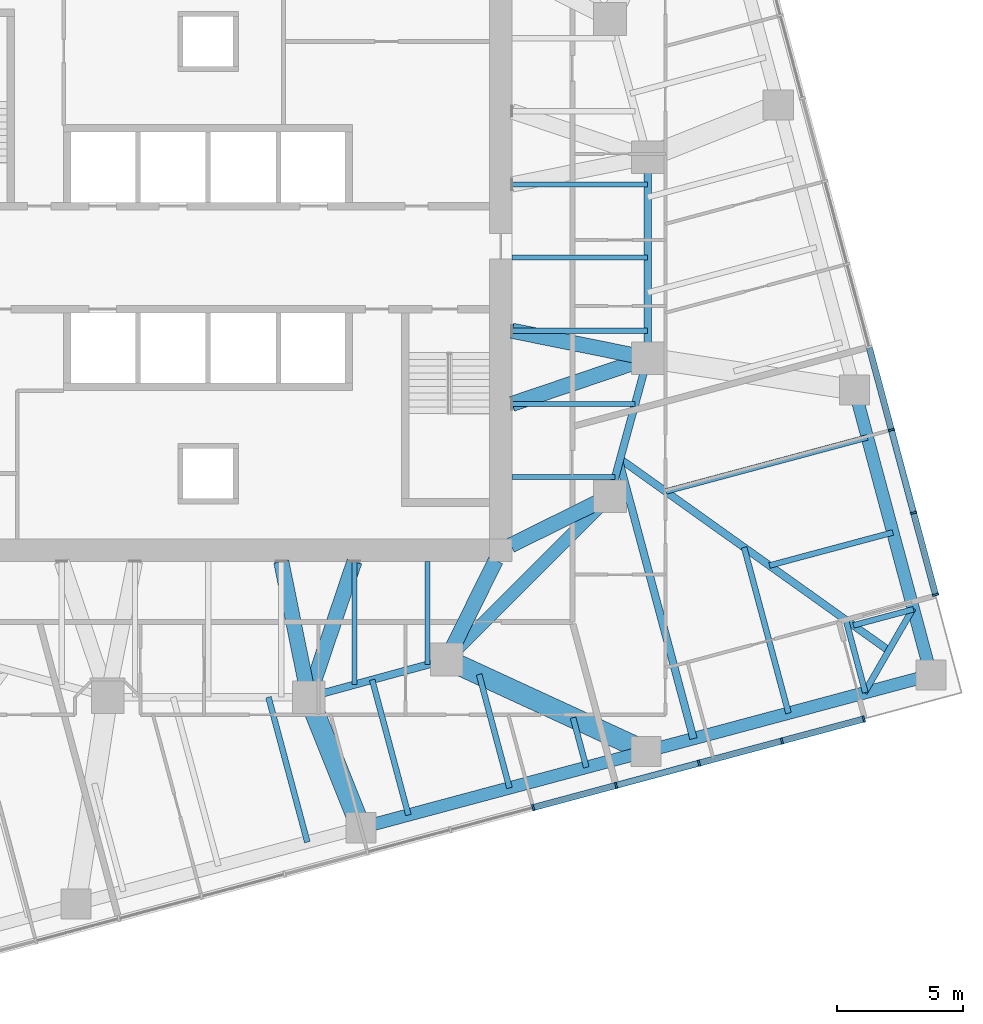
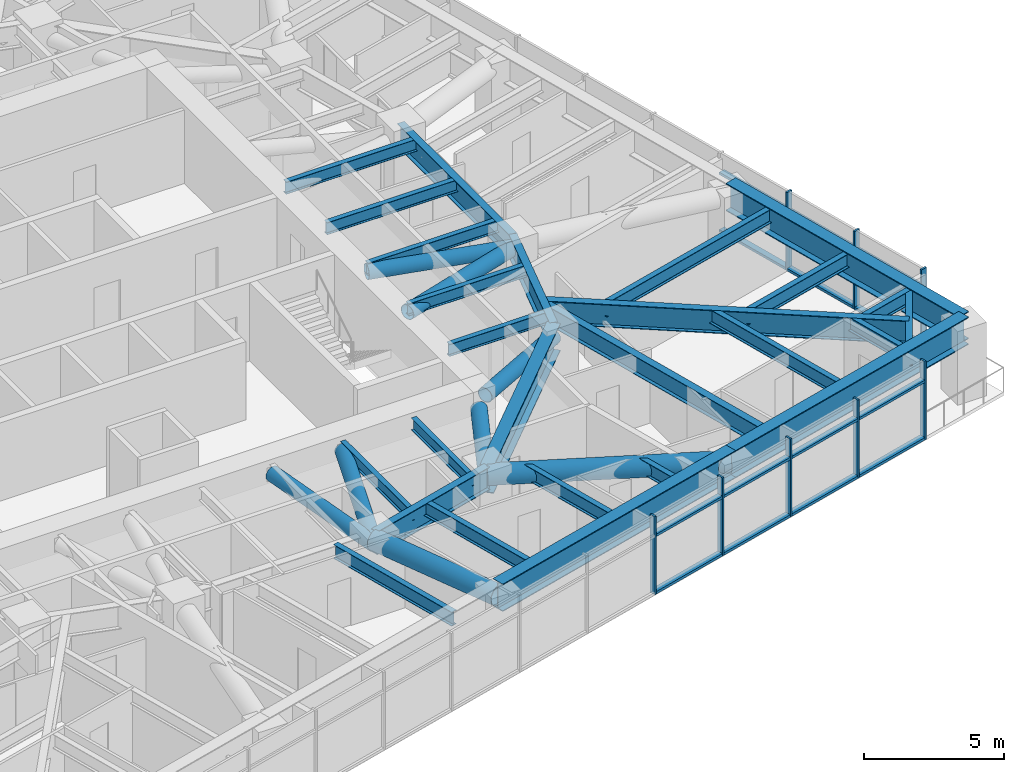
# One storey, part 4 of 18: 30 members, 26 beams, 2 elements without a shape of their own.
"""IFC4 building model written with IfcOpenShell, lengths in metres."""

from ifc_helpers import new_model, si_unit, direction, frame, origin, origin_2d, place, context, subcontext, project, spatial, rectangle, hollow_circle, i_section, extrude, material, material_profile, profile_set, type_object, element, aggregate, save


model = new_model("IFC4")

# Units and contexts
model_context = context("Model", 3, precision=1e-05, world=origin(), true_north=direction((0.0, 1.0)))
body_context = subcontext(model_context, "Body", "Model", "MODEL_VIEW")
ifc_project = project(units=[si_unit("LENGTHUNIT", "METRE"), si_unit("AREAUNIT", "SQUARE_METRE"), si_unit("VOLUMEUNIT", "CUBIC_METRE"), si_unit("PLANEANGLEUNIT", "RADIAN"), si_unit("MASSUNIT", "GRAM", prefix="KILO")], contexts=[model_context])

# Site, building, storey
site_placement = place(None, origin())
site = spatial("IfcSite", under=ifc_project, at=site_placement, CompositionType="ELEMENT")
building_placement = place(site_placement, origin())
building = spatial("IfcBuilding", under=site, at=building_placement, Name="Torsade Residences", CompositionType="ELEMENT")
storey_placement = place(building_placement, frame((0.0, 0.0, 135.39990234375)))
storey = spatial("IfcBuildingStorey", under=building, at=storey_placement, Name="L37", CompositionType="ELEMENT", Elevation=135.39990234375)

# Beams
ifc_material_1 = material(Name="Steel grade 300", Category="steel")
ifc_material_profile_1 = material_profile(ifc_material_1, i_section(OverallWidth=0.300048828125, OverallDepth=1.0, WebThickness=0.01611328125, FlangeThickness=0.028076171875, at=origin_2d()), Name="1000WB215")
ifc_profile_set_1 = profile_set([ifc_material_profile_1], Name="Steel grade 300")
beam_type_1 = type_object("IfcBeamType", Name="CORNER GIRDER 1000WB215", PredefinedType="BEAM", material=ifc_profile_set_1)
beam_1_placement = place(storey_placement, frame((67.097412109375, 14.355224609375, 2.7001953125), z_axis=(-0.814185372416, 0.58060501147, 0.0), x_axis=(-0.58060501147, -0.814185372416, 0.0)))
element("IfcBeam", 1, at=beam_1_placement, inside=storey, type_object=beam_type_1, Name="Corner girder 05 L38", PredefinedType="BEAM", context=body_context, shape_type="SweptSolid", body=[
    extrude(i_section(OverallWidth=0.300048828125, OverallDepth=1.0, WebThickness=0.01611328125, FlangeThickness=0.028076171875, at=origin_2d()), origin(), (0.0, 0.0, 1.0), 13.134033203125),
])
ifc_material_2 = material(Name="Steel grade 300", Category="steel")
ifc_material_profile_2 = material_profile(ifc_material_2, i_section(OverallWidth=0.25, OverallDepth=0.699951171875, WebThickness=0.010009765625, FlangeThickness=0.02001953125, at=origin_2d()), Name="700WB130")
ifc_profile_set_2 = profile_set([ifc_material_profile_2], Name="Steel grade 300")
beam_type_2 = type_object("IfcBeamType", Name="CORNER TRIMMER 700WB130", PredefinedType="BEAM", material=ifc_profile_set_2)
beam_2_placement = place(storey_placement, frame((68.06982421875, 16.039306640625, 2.85009765625), z_axis=(-0.499994147244, -0.866028782848, 0.0), x_axis=(0.866028782848, -0.499994147244, 0.0)))
element("IfcBeam", 2, at=beam_2_placement, inside=storey, type_object=beam_type_2, Name="Corner trimmer 05 L38", PredefinedType="BEAM", context=body_context, shape_type="SweptSolid", body=[
    extrude(i_section(OverallWidth=0.25, OverallDepth=0.699951171875, WebThickness=0.010009765625, FlangeThickness=0.02001953125, at=origin_2d()), origin(), (0.0, 0.0, 1.0), 3.88916015625),
])
ifc_material_3 = material(Name="Steel grade 300", Category="steel")
ifc_material_profile_3 = material_profile(ifc_material_3, i_section(OverallWidth=0.208984375, OverallDepth=0.528076171875, WebThickness=0.009521484375, FlangeThickness=0.01318359375, FilletRadius=0.013916015625, at=origin_2d()), Name="530UB82.0")
ifc_profile_set_3 = profile_set([ifc_material_profile_3], Name="Steel grade 300")
beam_type_3 = type_object("IfcBeamType", Name="INNER FLOOR BEAM 530UB82.0", PredefinedType="JOIST", material=ifc_profile_set_3)
beam_3_placement = place(storey_placement, frame((48.737548828125, 17.89990234375, 2.93603515625), z_axis=(0.0, -1.0, 0.0), x_axis=(1.0, 0.0, 0.0)))
element("IfcBeam", 3, at=beam_3_placement, inside=storey, type_object=beam_type_3, Name="Inner floor beam IS01 L38", PredefinedType="JOIST", context=body_context, shape_type="SweptSolid", body=[
    extrude(i_section(OverallWidth=0.208984375, OverallDepth=0.528076171875, WebThickness=0.009521484375, FlangeThickness=0.01318359375, FilletRadius=0.013916015625, at=origin_2d()), origin(), (0.0, 0.0, 1.0), 4.10791015625),
])
beam_4_placement = place(storey_placement, frame((45.824951171875, 17.89990234375, 2.93603515625), z_axis=(0.0, -1.0, 0.0), x_axis=(1.0, 0.0, 0.0)))
element("IfcBeam", 4, at=beam_4_placement, inside=storey, type_object=beam_type_3, Name="Inner floor beam IS02 L38", PredefinedType="JOIST", context=body_context, shape_type="SweptSolid", body=[
    extrude(i_section(OverallWidth=0.208984375, OverallDepth=0.528076171875, WebThickness=0.009521484375, FlangeThickness=0.01318359375, FilletRadius=0.013916015625, at=origin_2d()), origin(), (0.0, 0.0, 1.0), 4.902099609375),
])
beam_5_placement = place(storey_placement, frame((52.10009765625, 21.262451171875, 2.93603515625), z_axis=(1.0, 0.0, 0.0), x_axis=(0.0, 1.0, 0.0)))
element("IfcBeam", 5, at=beam_5_placement, inside=storey, type_object=beam_type_3, Name="Inner floor beam IE01 L38", PredefinedType="JOIST", context=body_context, shape_type="SweptSolid", body=[
    extrude(i_section(OverallWidth=0.208984375, OverallDepth=0.528076171875, WebThickness=0.009521484375, FlangeThickness=0.01318359375, FilletRadius=0.013916015625, at=origin_2d()), origin(), (0.0, 0.0, 1.0), 4.10791015625),
])
beam_6_placement = place(storey_placement, frame((52.10009765625, 24.175048828125, 2.93603515625), z_axis=(1.0, 0.0, 0.0), x_axis=(0.0, 1.0, 0.0)))
element("IfcBeam", 6, at=beam_6_placement, inside=storey, type_object=beam_type_3, Name="Inner floor beam IE02 L38", PredefinedType="JOIST", context=body_context, shape_type="SweptSolid", body=[
    extrude(i_section(OverallWidth=0.208984375, OverallDepth=0.528076171875, WebThickness=0.009521484375, FlangeThickness=0.01318359375, FilletRadius=0.013916015625, at=origin_2d()), origin(), (0.0, 0.0, 1.0), 4.902099609375),
])
for number, where, z_axis, x_axis, name in (
    (7, (52.10009765625, 27.08740234375, 2.93603515625), (1.0, 0.0, 0.0), (0.0, 1.0, 0.0), "Inner floor beam IE03 L38"),
    (8, (52.10009765625, 30.0, 2.93603515625), (1.0, 0.0, 0.0), (0.0, 1.0, 0.0), "Inner floor beam IE04 L38"),
    (9, (52.10009765625, 32.91259765625, 2.93603515625), (1.0, 0.0, 0.0), (0.0, 1.0, 0.0), "Inner floor beam IE05 L38"),
):
    element("IfcBeam", number, at=place(storey_placement, frame(where, z_axis=z_axis, x_axis=x_axis)), inside=storey, type_object=beam_type_3, Name=name, PredefinedType="JOIST", context=body_context, shape_type="SweptSolid", body=[
        extrude(i_section(OverallWidth=0.208984375, OverallDepth=0.528076171875, WebThickness=0.009521484375, FlangeThickness=0.01318359375, FilletRadius=0.013916015625, at=origin_2d()), origin(), (0.0, 0.0, 1.0), 5.39990234375),
    ])

# Curtain wall, members
ifc_material_4 = material(Name="Aluminium and glass", Category="aluminium")
curtain_wall_type = type_object("IfcCurtainWallType", Name="FRITTED GLASS CURTAIN WALL MID ZONE", PredefinedType="NOTDEFINED", material=ifc_material_4)
curtain_wall_1_placement = place(storey_placement, origin())
curtain_wall_1 = element("IfcCurtainWall", 10, at=curtain_wall_1_placement, inside=storey, type_object=curtain_wall_type, Name="Curtain wall L37 face 1", PredefinedType="NOTDEFINED")
ifc_material_5 = material(Name="Aluminium mullion", Category="aluminium")
ifc_material_profile_4 = material_profile(ifc_material_5, rectangle(XDim=0.25, YDim=0.080078125, at=origin_2d()), Name="MID ZONE CURTAIN WALL MULLION 250x80")
ifc_profile_set_4 = profile_set([ifc_material_profile_4], Name="Aluminium mullion")
member_type_1 = type_object("IfcMemberType", Name="MID ZONE CURTAIN WALL MULLION 250x80", PredefinedType="MULLION", material=ifc_profile_set_4)
member_1_placement = place(storey_placement, frame((52.941650390625, 8.103515625, 0.0), z_axis=(0.0, 0.0, 1.0), x_axis=(-0.258819047783, 0.965925825571, 0.0)))
member_1 = element("IfcMember", 11, at=member_1_placement, type_object=member_type_1, Name="Mullion 9", PredefinedType="MULLION", context=body_context, shape_type="SweptSolid", body=[
    extrude(rectangle(XDim=0.25, YDim=0.080078125, at=origin_2d()), origin(), (0.0, 0.0, 1.0), 3.400146484375),
])
member_2_placement = place(storey_placement, frame((56.24169921875, 8.98779296875, 0.0), z_axis=(0.0, 0.0, 1.0), x_axis=(-0.258819047783, 0.965925825571, 0.0)))
member_2 = element("IfcMember", 12, at=member_2_placement, type_object=member_type_1, Name="Mullion 10", PredefinedType="MULLION", context=body_context, shape_type="SweptSolid", body=[
    extrude(rectangle(XDim=0.25, YDim=0.080078125, at=origin_2d()), origin(), (0.0, 0.0, 1.0), 3.400146484375),
])
member_3_placement = place(storey_placement, frame((59.5419921875, 9.8720703125, 0.0), z_axis=(0.0, 0.0, 1.0), x_axis=(-0.258819047783, 0.965925825571, 0.0)))
member_3 = element("IfcMember", 13, at=member_3_placement, type_object=member_type_1, Name="Mullion 11", PredefinedType="MULLION", context=body_context, shape_type="SweptSolid", body=[
    extrude(rectangle(XDim=0.25, YDim=0.080078125, at=origin_2d()), origin(), (0.0, 0.0, 1.0), 3.400146484375),
])
member_4_placement = place(storey_placement, frame((62.84228515625, 10.75634765625, 0.0), z_axis=(0.0, 0.0, 1.0), x_axis=(-0.258819047783, 0.965925825571, 0.0)))
member_4 = element("IfcMember", 14, at=member_4_placement, type_object=member_type_1, Name="Mullion 12", PredefinedType="MULLION", context=body_context, shape_type="SweptSolid", body=[
    extrude(rectangle(XDim=0.25, YDim=0.080078125, at=origin_2d()), origin(), (0.0, 0.0, 1.0), 3.400146484375),
])
member_5_placement = place(storey_placement, frame((66.10400390625, 11.63037109375, 0.0), z_axis=(0.0, 0.0, 1.0), x_axis=(-0.258819047783, 0.965925825571, 0.0)))
member_5 = element("IfcMember", 15, at=member_5_placement, type_object=member_type_1, Name="Mullion 13", PredefinedType="MULLION", context=body_context, shape_type="SweptSolid", body=[
    extrude(rectangle(XDim=0.25, YDim=0.080078125, at=origin_2d()), origin(), (0.0, 0.0, 1.0), 3.400146484375),
])

curtain_wall_2_placement = place(storey_placement, origin())
curtain_wall_2 = element("IfcCurtainWall", 16, at=curtain_wall_2_placement, inside=storey, type_object=curtain_wall_type, Name="Curtain wall L37 face 4", PredefinedType="NOTDEFINED")
member_6_placement = place(storey_placement, frame((68.960693359375, 16.578125, 0.0), z_axis=(0.0, 0.0, 1.0), x_axis=(-0.965925825571, -0.258819047783, 0.0)))
member_6 = element("IfcMember", 17, at=member_6_placement, type_object=member_type_1, Name="Mullion 1", PredefinedType="MULLION", context=body_context, shape_type="SweptSolid", body=[
    extrude(rectangle(XDim=0.25, YDim=0.080078125, at=origin_2d()), origin(), (0.0, 0.0, 1.0), 3.400146484375),
])
member_7_placement = place(storey_placement, frame((68.086669921875, 19.83984375, 0.0), z_axis=(0.0, 0.0, 1.0), x_axis=(-0.965925825571, -0.258819047783, 0.0)))
member_7 = element("IfcMember", 18, at=member_7_placement, type_object=member_type_1, Name="Mullion 2", PredefinedType="MULLION", context=body_context, shape_type="SweptSolid", body=[
    extrude(rectangle(XDim=0.25, YDim=0.080078125, at=origin_2d()), origin(), (0.0, 0.0, 1.0), 3.400146484375),
])
member_8_placement = place(storey_placement, frame((67.202392578125, 23.14013671875, 0.0), z_axis=(0.0, 0.0, 1.0), x_axis=(-0.965925825571, -0.258819047783, 0.0)))
member_8 = element("IfcMember", 19, at=member_8_placement, type_object=member_type_1, Name="Mullion 3", PredefinedType="MULLION", context=body_context, shape_type="SweptSolid", body=[
    extrude(rectangle(XDim=0.25, YDim=0.080078125, at=origin_2d()), origin(), (0.0, 0.0, 1.0), 3.400146484375),
])

# Member
ifc_material_6 = material(Name="Aluminium transom", Category="aluminium")
ifc_material_profile_5 = material_profile(ifc_material_6, rectangle(XDim=0.25, YDim=0.110107421875, at=origin_2d()), Name="MID ZONE CURTAIN WALL TRANSOM 250x110")
ifc_profile_set_5 = profile_set([ifc_material_profile_5], Name="Aluminium transom")
member_type_2 = type_object("IfcMemberType", Name="MID ZONE CURTAIN WALL TRANSOM 250x110", PredefinedType="USERDEFINED", material=ifc_profile_set_5)
member_9_placement = place(storey_placement, frame((52.980224609375, 8.11376953125, 0.05517578125), z_axis=(0.965929435155, 0.258805576255, 0.0), x_axis=(-0.258805576255, 0.965929435155, 0.0)))
member_9 = element("IfcMember", 20, at=member_9_placement, type_object=member_type_2, Name="Transom 9.1", ObjectType="TRANSOM", PredefinedType="USERDEFINED", context=body_context, shape_type="SweptSolid", body=[
    extrude(rectangle(XDim=0.25, YDim=0.110107421875, at=origin_2d()), origin(), (0.0, 0.0, 1.0), 3.336669921875),
])

member_10_placement = place(storey_placement, frame((52.980224609375, 8.11376953125, 2.55517578125), z_axis=(0.965929435155, 0.258805576255, 0.0), x_axis=(-0.258805576255, 0.965929435155, 0.0)))
member_10 = element("IfcMember", 21, at=member_10_placement, type_object=member_type_2, Name="Transom 9.2", ObjectType="TRANSOM", PredefinedType="USERDEFINED", context=body_context, shape_type="SweptSolid", body=[
    extrude(rectangle(XDim=0.25, YDim=0.110107421875, at=origin_2d()), origin(), (0.0, 0.0, 1.0), 3.336669921875),
])

member_11_placement = place(storey_placement, frame((56.280517578125, 8.998046875, 0.05517578125), z_axis=(0.965929435155, 0.258805576255, 0.0), x_axis=(-0.258805576255, 0.965929435155, 0.0)))
member_11 = element("IfcMember", 22, at=member_11_placement, type_object=member_type_2, Name="Transom 10.1", ObjectType="TRANSOM", PredefinedType="USERDEFINED", context=body_context, shape_type="SweptSolid", body=[
    extrude(rectangle(XDim=0.25, YDim=0.110107421875, at=origin_2d()), origin(), (0.0, 0.0, 1.0), 3.336669921875),
])

member_12_placement = place(storey_placement, frame((56.280517578125, 8.998046875, 2.55517578125), z_axis=(0.965929435155, 0.258805576255, 0.0), x_axis=(-0.258805576255, 0.965929435155, 0.0)))
member_12 = element("IfcMember", 23, at=member_12_placement, type_object=member_type_2, Name="Transom 10.2", ObjectType="TRANSOM", PredefinedType="USERDEFINED", context=body_context, shape_type="SweptSolid", body=[
    extrude(rectangle(XDim=0.25, YDim=0.110107421875, at=origin_2d()), origin(), (0.0, 0.0, 1.0), 3.336669921875),
])

member_13_placement = place(storey_placement, frame((59.580810546875, 9.88232421875, 0.05517578125), z_axis=(0.965929435155, 0.258805576255, 0.0), x_axis=(-0.258805576255, 0.965929435155, 0.0)))
member_13 = element("IfcMember", 24, at=member_13_placement, type_object=member_type_2, Name="Transom 11.1", ObjectType="TRANSOM", PredefinedType="USERDEFINED", context=body_context, shape_type="SweptSolid", body=[
    extrude(rectangle(XDim=0.25, YDim=0.110107421875, at=origin_2d()), origin(), (0.0, 0.0, 1.0), 3.336669921875),
])

member_14_placement = place(storey_placement, frame((59.580810546875, 9.88232421875, 2.55517578125), z_axis=(0.965929435155, 0.258805576255, 0.0), x_axis=(-0.258805576255, 0.965929435155, 0.0)))
member_14 = element("IfcMember", 25, at=member_14_placement, type_object=member_type_2, Name="Transom 11.2", ObjectType="TRANSOM", PredefinedType="USERDEFINED", context=body_context, shape_type="SweptSolid", body=[
    extrude(rectangle(XDim=0.25, YDim=0.110107421875, at=origin_2d()), origin(), (0.0, 0.0, 1.0), 3.336669921875),
])

member_15_placement = place(storey_placement, frame((62.880859375, 10.7666015625, 0.05517578125), z_axis=(0.965923258633, 0.258828627534, 0.0), x_axis=(-0.258828627534, 0.965923258633, 0.0)))
member_15 = element("IfcMember", 26, at=member_15_placement, type_object=member_type_2, Name="Transom 12.1", ObjectType="TRANSOM", PredefinedType="USERDEFINED", context=body_context, shape_type="SweptSolid", body=[
    extrude(rectangle(XDim=0.25, YDim=0.110107421875, at=origin_2d()), origin(), (0.0, 0.0, 1.0), 3.296630859375),
])

member_16_placement = place(storey_placement, frame((62.880859375, 10.7666015625, 2.55517578125), z_axis=(0.965923258633, 0.258828627534, 0.0), x_axis=(-0.258828627534, 0.965923258633, 0.0)))
member_16 = element("IfcMember", 27, at=member_16_placement, type_object=member_type_2, Name="Transom 12.2", ObjectType="TRANSOM", PredefinedType="USERDEFINED", context=body_context, shape_type="SweptSolid", body=[
    extrude(rectangle(XDim=0.25, YDim=0.110107421875, at=origin_2d()), origin(), (0.0, 0.0, 1.0), 3.296630859375),
])

aggregate(curtain_wall_1, [member_1, member_2, member_3, member_4, member_5, member_9, member_10, member_11, member_12, member_13, member_14, member_15, member_16])

member_17_placement = place(storey_placement, frame((68.9501953125, 16.616943359375, 0.05517578125), z_axis=(-0.258828627534, 0.965923258633, 0.0), x_axis=(-0.965923258633, -0.258828627534, 0.0)))
member_17 = element("IfcMember", 28, at=member_17_placement, type_object=member_type_2, Name="Transom 1.1", ObjectType="TRANSOM", PredefinedType="USERDEFINED", context=body_context, shape_type="SweptSolid", body=[
    extrude(rectangle(XDim=0.25, YDim=0.110107421875, at=origin_2d()), origin(), (0.0, 0.0, 1.0), 3.296630859375),
])

member_18_placement = place(storey_placement, frame((68.9501953125, 16.616943359375, 2.55517578125), z_axis=(-0.258828627534, 0.965923258633, 0.0), x_axis=(-0.965923258633, -0.258828627534, 0.0)))
member_18 = element("IfcMember", 29, at=member_18_placement, type_object=member_type_2, Name="Transom 1.2", ObjectType="TRANSOM", PredefinedType="USERDEFINED", context=body_context, shape_type="SweptSolid", body=[
    extrude(rectangle(XDim=0.25, YDim=0.110107421875, at=origin_2d()), origin(), (0.0, 0.0, 1.0), 3.296630859375),
])

member_19_placement = place(storey_placement, frame((68.076416015625, 19.87841796875, 0.05517578125), z_axis=(-0.258855549498, 0.965916044226, 0.0), x_axis=(-0.965916044226, -0.258855549498, 0.0)))
member_19 = element("IfcMember", 30, at=member_19_placement, type_object=member_type_2, Name="Transom 2.1", ObjectType="TRANSOM", PredefinedType="USERDEFINED", context=body_context, shape_type="SweptSolid", body=[
    extrude(rectangle(XDim=0.25, YDim=0.110107421875, at=origin_2d()), origin(), (0.0, 0.0, 1.0), 3.3369140625),
])

member_20_placement = place(storey_placement, frame((68.076416015625, 19.87841796875, 2.55517578125), z_axis=(-0.258855549498, 0.965916044226, 0.0), x_axis=(-0.965916044226, -0.258855549498, 0.0)))
member_20 = element("IfcMember", 31, at=member_20_placement, type_object=member_type_2, Name="Transom 2.2", ObjectType="TRANSOM", PredefinedType="USERDEFINED", context=body_context, shape_type="SweptSolid", body=[
    extrude(rectangle(XDim=0.25, YDim=0.110107421875, at=origin_2d()), origin(), (0.0, 0.0, 1.0), 3.3369140625),
])

member_21_placement = place(storey_placement, frame((67.192138671875, 23.1787109375, 0.05517578125), z_axis=(-0.258873844232, 0.96591114124, 0.0), x_axis=(-0.96591114124, -0.258873844232, 0.0)))
member_21 = element("IfcMember", 32, at=member_21_placement, type_object=member_type_2, Name="Transom 3.1", ObjectType="TRANSOM", PredefinedType="USERDEFINED", context=body_context, shape_type="SweptSolid", body=[
    extrude(rectangle(XDim=0.25, YDim=0.110107421875, at=origin_2d()), origin(), (0.0, 0.0, 1.0), 3.336669921875),
])

member_22_placement = place(storey_placement, frame((67.192138671875, 23.1787109375, 2.55517578125), z_axis=(-0.258873844232, 0.96591114124, 0.0), x_axis=(-0.96591114124, -0.258873844232, 0.0)))
member_22 = element("IfcMember", 33, at=member_22_placement, type_object=member_type_2, Name="Transom 3.2", ObjectType="TRANSOM", PredefinedType="USERDEFINED", context=body_context, shape_type="SweptSolid", body=[
    extrude(rectangle(XDim=0.25, YDim=0.110107421875, at=origin_2d()), origin(), (0.0, 0.0, 1.0), 3.336669921875),
])

aggregate(curtain_wall_2, [member_6, member_7, member_8, member_17, member_18, member_19, member_20, member_21, member_22])

# Beams
ifc_material_7 = material(Name="Steel grade 300", Category="steel")
ifc_material_profile_6 = material_profile(ifc_material_7, i_section(OverallWidth=0.5, OverallDepth=1.199951171875, WebThickness=0.01611328125, FlangeThickness=0.0400390625, at=origin_2d()), Name="1200WB455")
ifc_profile_set_6 = profile_set([ifc_material_profile_6], Name="Steel grade 300")
beam_type_4 = type_object("IfcBeamType", Name="RING CORNER GIRDER 1200WB455", PredefinedType="BEAM", material=ifc_profile_set_6)
beam_7_placement = place(storey_placement, frame((49.5, 14.0, 2.60009765625), z_axis=(0.707106781187, 0.707106781187, 0.0), x_axis=(-0.707106781187, 0.707106781187, 0.0)))
element("IfcBeam", 34, at=beam_7_placement, inside=storey, type_object=beam_type_4, Name="Ring girder IR15 L38", PredefinedType="BEAM", context=body_context, shape_type="SweptSolid", body=[
    extrude(i_section(OverallWidth=0.5, OverallDepth=1.199951171875, WebThickness=0.01611328125, FlangeThickness=0.0400390625, at=origin_2d()), origin(), (0.0, 0.0, 1.0), 9.1923828125),
])
ifc_material_8 = material(Name="Steel grade 300", Category="steel")
ifc_material_profile_7 = material_profile(ifc_material_8, i_section(OverallWidth=0.300048828125, OverallDepth=1.0, WebThickness=0.01611328125, FlangeThickness=0.028076171875, at=origin_2d()), Name="1000WB215")
ifc_profile_set_7 = profile_set([ifc_material_profile_7], Name="Steel grade 300")
beam_type_5 = type_object("IfcBeamType", Name="RING GIRDER 1000WB215", PredefinedType="BEAM", material=ifc_profile_set_7)
beam_8_placement = place(storey_placement, frame((57.5, 26.0, 2.7001953125), z_axis=(0.0, 1.0, 0.0), x_axis=(-1.0, 0.0, 0.0)))
element("IfcBeam", 35, at=beam_8_placement, inside=storey, type_object=beam_type_5, Name="Ring girder IR01 L38", PredefinedType="BEAM", context=body_context, shape_type="SweptSolid", body=[
    extrude(i_section(OverallWidth=0.300048828125, OverallDepth=1.0, WebThickness=0.01611328125, FlangeThickness=0.028076171875, at=origin_2d()), origin(), (0.0, 0.0, 1.0), 8.0),
])
for number, where, z_axis, x_axis, name in (
    (36, (44.0, 12.5, 2.7001953125), (0.964763821238, 0.263117405792, 0.0), (-0.263117405792, 0.964763821238, 0.0), "Ring girder IR14 L38"),
    (37, (56.0, 20.5, 2.7001953125), (0.263117405792, 0.964763821238, 0.0), (-0.964763821238, 0.263117405792, 0.0), "Ring girder IR16 L38"),
):
    element("IfcBeam", number, at=place(storey_placement, frame(where, z_axis=z_axis, x_axis=x_axis)), inside=storey, type_object=beam_type_5, Name=name, PredefinedType="BEAM", context=body_context, shape_type="SweptSolid", body=[
        extrude(i_section(OverallWidth=0.300048828125, OverallDepth=1.0, WebThickness=0.01611328125, FlangeThickness=0.028076171875, at=origin_2d()), origin(), (0.0, 0.0, 1.0), 5.700927734375),
    ])
ifc_material_9 = material(Name="Steel grade 300", Category="steel")
ifc_material_profile_8 = material_profile(ifc_material_9, i_section(OverallWidth=0.22900390625, OverallDepth=0.612060546875, WebThickness=0.011962890625, FlangeThickness=0.01953125, FilletRadius=0.013916015625, at=origin_2d()), Name="610UB125")
ifc_profile_set_8 = profile_set([ifc_material_profile_8], Name="Steel grade 300")
beam_type_6 = type_object("IfcBeamType", Name="SECONDARY BEAM 610UB125", PredefinedType="JOIST", material=ifc_profile_set_8)
beam_9_placement = place(storey_placement, frame((43.94921875, 6.729248046875, 2.89404296875), z_axis=(-0.258837534481, 0.965920871885, 0.0), x_axis=(-0.965920871885, -0.258837534481, 0.0)))
element("IfcBeam", 38, at=beam_9_placement, inside=storey, type_object=beam_type_6, Name="Floor beam FS06 L38", PredefinedType="JOIST", context=body_context, shape_type="SweptSolid", body=[
    extrude(i_section(OverallWidth=0.22900390625, OverallDepth=0.612060546875, WebThickness=0.011962890625, FlangeThickness=0.01953125, FilletRadius=0.013916015625, at=origin_2d()), origin(), (0.0, 0.0, 1.0), 5.974365234375),
])
beam_10_placement = place(storey_placement, frame((47.973876953125, 7.8076171875, 2.89404296875), z_axis=(-0.258829517553, 0.965923020144, 0.0), x_axis=(-0.965923020144, -0.258829517553, 0.0)))
element("IfcBeam", 39, at=beam_10_placement, inside=storey, type_object=beam_type_6, Name="Floor beam FS07 L38", PredefinedType="JOIST", context=body_context, shape_type="SweptSolid", body=[
    extrude(i_section(OverallWidth=0.22900390625, OverallDepth=0.612060546875, WebThickness=0.011962890625, FlangeThickness=0.01953125, FilletRadius=0.013916015625, at=origin_2d()), origin(), (0.0, 0.0, 1.0), 5.57275390625),
])
beam_11_placement = place(storey_placement, frame((51.99853515625, 8.885986328125, 2.89404296875), z_axis=(-0.258815185258, 0.965926860523, 0.0), x_axis=(-0.965926860523, -0.258815185258, 0.0)))
element("IfcBeam", 40, at=beam_11_placement, inside=storey, type_object=beam_type_6, Name="Floor beam FS08 L38", PredefinedType="JOIST", context=body_context, shape_type="SweptSolid", body=[
    extrude(i_section(OverallWidth=0.22900390625, OverallDepth=0.612060546875, WebThickness=0.011962890625, FlangeThickness=0.01953125, FilletRadius=0.013916015625, at=origin_2d()), origin(), (0.0, 0.0, 1.0), 4.6796875),
])
beam_12_placement = place(storey_placement, frame((55.057373046875, 9.70556640625, 2.89404296875), z_axis=(-0.258791773706, 0.965933133225, 0.0), x_axis=(-0.965933133225, -0.258791773706, 0.0)))
element("IfcBeam", 41, at=beam_12_placement, inside=storey, type_object=beam_type_6, Name="Floor beam FS09 L38", PredefinedType="JOIST", context=body_context, shape_type="SweptSolid", body=[
    extrude(i_section(OverallWidth=0.22900390625, OverallDepth=0.612060546875, WebThickness=0.011962890625, FlangeThickness=0.01953125, FilletRadius=0.013916015625, at=origin_2d()), origin(), (0.0, 0.0, 1.0), 2.045166015625),
])
beam_13_placement = place(storey_placement, frame((63.106689453125, 11.862548828125, 2.89404296875), z_axis=(-0.2588122916, 0.965927635859, 0.0), x_axis=(-0.965927635859, -0.2588122916, 0.0)))
element("IfcBeam", 42, at=beam_13_placement, inside=storey, type_object=beam_type_6, Name="Floor beam FS11 L38", PredefinedType="JOIST", context=body_context, shape_type="SweptSolid", body=[
    extrude(i_section(OverallWidth=0.22900390625, OverallDepth=0.612060546875, WebThickness=0.011962890625, FlangeThickness=0.01953125, FilletRadius=0.013916015625, at=origin_2d()), origin(), (0.0, 0.0, 1.0), 6.83251953125),
])
beam_14_placement = place(storey_placement, frame((66.16552734375, 12.68212890625, 2.89404296875), z_axis=(-0.258840774802, 0.965920003572, 0.0), x_axis=(-0.965920003572, -0.258840774802, 0.0)))
element("IfcBeam", 43, at=beam_14_placement, inside=storey, type_object=beam_type_6, Name="Floor beam FS12 L38", PredefinedType="JOIST", context=body_context, shape_type="SweptSolid", body=[
    extrude(i_section(OverallWidth=0.22900390625, OverallDepth=0.612060546875, WebThickness=0.011962890625, FlangeThickness=0.01953125, FilletRadius=0.013916015625, at=origin_2d()), origin(), (0.0, 0.0, 1.0), 2.991943359375),
])
beam_15_placement = place(storey_placement, frame((68.08056640625, 15.9990234375, 2.89404296875), z_axis=(-0.965931316634, -0.258798553987, 0.0), x_axis=(0.258798553987, -0.965931316634, 0.0)))
element("IfcBeam", 44, at=beam_15_placement, inside=storey, type_object=beam_type_6, Name="Floor beam FE01 L38", PredefinedType="JOIST", context=body_context, shape_type="SweptSolid", body=[
    extrude(i_section(OverallWidth=0.22900390625, OverallDepth=0.612060546875, WebThickness=0.011962890625, FlangeThickness=0.01953125, FilletRadius=0.013916015625, at=origin_2d()), origin(), (0.0, 0.0, 1.0), 2.474365234375),
])
beam_16_placement = place(storey_placement, frame((67.260986328125, 19.057861328125, 2.89404296875), z_axis=(-0.965927479577, -0.258812874871, 0.0), x_axis=(0.258812874871, -0.965927479577, 0.0)))
element("IfcBeam", 45, at=beam_16_placement, inside=storey, type_object=beam_type_6, Name="Floor beam FE02 L38", PredefinedType="JOIST", context=body_context, shape_type="SweptSolid", body=[
    extrude(i_section(OverallWidth=0.22900390625, OverallDepth=0.612060546875, WebThickness=0.011962890625, FlangeThickness=0.01953125, FilletRadius=0.013916015625, at=origin_2d()), origin(), (0.0, 0.0, 1.0), 5.08544921875),
])
beam_17_placement = place(storey_placement, frame((66.247314453125, 22.841064453125, 2.89404296875), z_axis=(-0.965925771476, -0.258819249667, 0.0), x_axis=(0.258819249667, -0.965925771476, 0.0)))
element("IfcBeam", 46, at=beam_17_placement, inside=storey, type_object=beam_type_6, Name="Floor beam FE03 L38", PredefinedType="JOIST", context=body_context, shape_type="SweptSolid", body=[
    extrude(i_section(OverallWidth=0.22900390625, OverallDepth=0.612060546875, WebThickness=0.011962890625, FlangeThickness=0.01953125, FilletRadius=0.013916015625, at=origin_2d()), origin(), (0.0, 0.0, 1.0), 8.315185546875),
])
ifc_material_10 = material(Name="Steel grade 300", Category="steel")
ifc_material_profile_9 = material_profile(ifc_material_10, i_section(OverallWidth=0.300048828125, OverallDepth=0.800048828125, WebThickness=0.010009765625, FlangeThickness=0.02001953125, at=origin_2d()), Name="800WB146")
ifc_profile_set_9 = profile_set([ifc_material_profile_9], Name="Steel grade 300")
beam_type_7 = type_object("IfcBeamType", Name="SECONDARY BEAM 800WB146", PredefinedType="JOIST", material=ifc_profile_set_9)
beam_18_placement = place(storey_placement, frame((59.323486328125, 10.8486328125, 2.800048828125), z_axis=(-0.258807068179, 0.965929035417, 0.0), x_axis=(-0.965929035417, -0.258807068179, 0.0)))
element("IfcBeam", 47, at=beam_18_placement, inside=storey, type_object=beam_type_7, Name="Floor beam FS10 L38", PredefinedType="JOIST", context=body_context, shape_type="SweptSolid", body=[
    extrude(i_section(OverallWidth=0.300048828125, OverallDepth=0.800048828125, WebThickness=0.010009765625, FlangeThickness=0.02001953125, at=origin_2d()), origin(), (0.0, 0.0, 1.0), 11.40380859375),
])

# Members
ifc_material_11 = material(Name="Steel grade 450", Category="steel")
ifc_material_profile_10 = material_profile(ifc_material_11, hollow_circle(Radius=0.304931640625, WallThickness=0.01611328125, at=origin_2d()), Name="610.0x16.0CHS")
ifc_profile_set_10 = profile_set([ifc_material_profile_10], Name="Steel grade 450")
member_type_3 = type_object("IfcMemberType", Name="TRANSFER FLOOR BRACE 610.0x16.0CHS", PredefinedType="BRACE", material=ifc_profile_set_10)
member_23_placement = place(storey_placement, frame((57.5, 26.0, 2.60009765625), z_axis=(-0.97976207845, 0.197299045909, 0.03375434957), x_axis=(-0.197411538983, -0.980320704809, 0.0)))
element("IfcMember", 48, at=member_23_placement, inside=storey, type_object=member_type_3, Name="Transfer floor brace TT4 bottom IR01IE03", PredefinedType="BRACE", context=body_context, shape_type="SweptSolid", body=[
    extrude(hollow_circle(Radius=0.304931640625, WallThickness=0.01611328125, at=origin_2d()), origin(), (0.0, 0.0, 1.0), 5.511474609375),
])
member_24_placement = place(storey_placement, frame((57.5, 26.0, 2.60009765625), z_axis=(-0.946855969774, -0.319999474368, 0.032620682203), x_axis=(0.320169867513, -0.947360151124, 0.0)))
element("IfcMember", 49, at=member_24_placement, inside=storey, type_object=member_type_3, Name="Transfer floor brace TT4 bottom IR01IE02", PredefinedType="BRACE", context=body_context, shape_type="SweptSolid", body=[
    extrude(hollow_circle(Radius=0.304931640625, WallThickness=0.01611328125, at=origin_2d()), origin(), (0.0, 0.0, 1.0), 5.702880859375),
])
member_25_placement = place(storey_placement, frame((44.0, 12.5, 2.60009765625), z_axis=(-0.197299045909, 0.97976207845, 0.03375434957), x_axis=(-0.980320704809, -0.197411538983, 0.0)))
element("IfcMember", 50, at=member_25_placement, inside=storey, type_object=member_type_3, Name="Transfer floor brace TT4 bottom IR14IS03", PredefinedType="BRACE", context=body_context, shape_type="SweptSolid", body=[
    extrude(hollow_circle(Radius=0.304931640625, WallThickness=0.01611328125, at=origin_2d()), origin(), (0.0, 0.0, 1.0), 5.511474609375),
])
member_26_placement = place(storey_placement, frame((44.0, 12.5, 2.60009765625), z_axis=(0.319999474368, 0.946855969774, 0.032620682203), x_axis=(-0.947360151124, 0.320169867513, 0.0)))
element("IfcMember", 51, at=member_26_placement, inside=storey, type_object=member_type_3, Name="Transfer floor brace TT4 bottom IR14IS02", PredefinedType="BRACE", context=body_context, shape_type="SweptSolid", body=[
    extrude(hollow_circle(Radius=0.304931640625, WallThickness=0.01611328125, at=origin_2d()), origin(), (0.0, 0.0, 1.0), 5.702880859375),
])
for number, where, z_axis, x_axis, name in (
    (52, (49.5, 14.0, 2.60009765625), (0.443105036702, 0.896469701914, 0.0), (-0.896469701914, 0.443105036702, 0.0), "Transfer floor brace TT4 bottom IR15C"),
    (53, (56.0, 20.5, 2.60009765625), (-0.896469701914, -0.443105036702, 0.0), (0.443105036702, -0.896469701914, 0.0), "Transfer floor brace TT4 bottom IR16C"),
):
    element("IfcMember", number, at=place(storey_placement, frame(where, z_axis=z_axis, x_axis=x_axis)), inside=storey, type_object=member_type_3, Name=name, PredefinedType="BRACE", context=body_context, shape_type="SweptSolid", body=[
        extrude(hollow_circle(Radius=0.304931640625, WallThickness=0.01611328125, at=origin_2d()), origin(), (0.0, 0.0, 1.0), 4.40234375),
    ])
ifc_material_12 = material(Name="Steel grade 450", Category="steel")
ifc_material_profile_11 = material_profile(ifc_material_12, hollow_circle(Radius=0.406494140625, WallThickness=0.02490234375, at=origin_2d()), Name="813.0x25.0CHS")
ifc_profile_set_11 = profile_set([ifc_material_profile_11], Name="Steel grade 450")
member_type_4 = type_object("IfcMemberType", Name="TRANSFER FLOOR STRUT 813.0x25.0CHS", PredefinedType="STRUT", material=ifc_profile_set_11)
member_27_placement = place(storey_placement, frame((46.082275390625, 7.30078125, 2.800048828125), z_axis=(-0.371788975159, 0.928317272246, 0.0), x_axis=(-0.928317272246, -0.371788975159, 0.0)))
element("IfcMember", 54, at=member_27_placement, inside=storey, type_object=member_type_4, Name="Transfer floor strut TT4 bottom 03IR14", PredefinedType="STRUT", context=body_context, shape_type="SweptSolid", body=[
    extrude(hollow_circle(Radius=0.406494140625, WallThickness=0.02490234375, at=origin_2d()), origin(), (0.0, 0.0, 1.0), 5.6005859375),
])
member_28_placement = place(storey_placement, frame((57.431884765625, 10.341796875, 2.800048828125), z_axis=(-0.908075513562, 0.418806472813, 0.0), x_axis=(-0.418806472813, -0.908075513562, 0.0)))
element("IfcMember", 55, at=member_28_placement, inside=storey, type_object=member_type_4, Name="Transfer floor strut TT4 bottom 04IR15", PredefinedType="STRUT", context=body_context, shape_type="SweptSolid", body=[
    extrude(hollow_circle(Radius=0.406494140625, WallThickness=0.02490234375, at=origin_2d()), origin(), (0.0, 0.0, 1.0), 8.73486328125),
])

# Beams
ifc_material_13 = material(Name="Steel grade 300", Category="steel")
ifc_material_profile_12 = material_profile(ifc_material_13, i_section(OverallWidth=0.5, OverallDepth=1.199951171875, WebThickness=0.01611328125, FlangeThickness=0.0400390625, at=origin_2d()), Name="1200WB455")
ifc_profile_set_12 = profile_set([ifc_material_profile_12], Name="Steel grade 300")
beam_type_8 = type_object("IfcBeamType", Name="TRANSFER TRUSS CHORD 1200WB455", PredefinedType="USERDEFINED", material=ifc_profile_set_12)
for number, where, z_axis, x_axis, name in (
    (56, (46.082275390625, 7.30078125, 2.800048828125), (0.965928018634, 0.258810863021, 0.0), (-0.258810863021, 0.965928018634, 0.0), "Transfer truss TT4 bottom chord 03"),
    (57, (57.431884765625, 10.341796875, 2.800048828125), (0.965922824118, 0.258830249097, 0.0), (-0.258830249097, 0.965922824118, 0.0), "Transfer truss TT4 bottom chord 04"),
    (58, (68.781494140625, 13.383056640625, 2.800048828125), (-0.258810863021, 0.965928018634, 0.0), (-0.965928018634, -0.258810863021, 0.0), "Transfer truss TT4 bottom chord 05"),
):
    element("IfcBeam", number, at=place(storey_placement, frame(where, z_axis=z_axis, x_axis=x_axis)), inside=storey, type_object=beam_type_8, Name=name, ObjectType="TRANSFER TRUSS CHORD", PredefinedType="USERDEFINED", context=body_context, shape_type="SweptSolid", body=[
        extrude(i_section(OverallWidth=0.5, OverallDepth=1.199951171875, WebThickness=0.01611328125, FlangeThickness=0.0400390625, at=origin_2d()), origin(), (0.0, 0.0, 1.0), 11.75),
    ])

save(model, "model.ifc")
